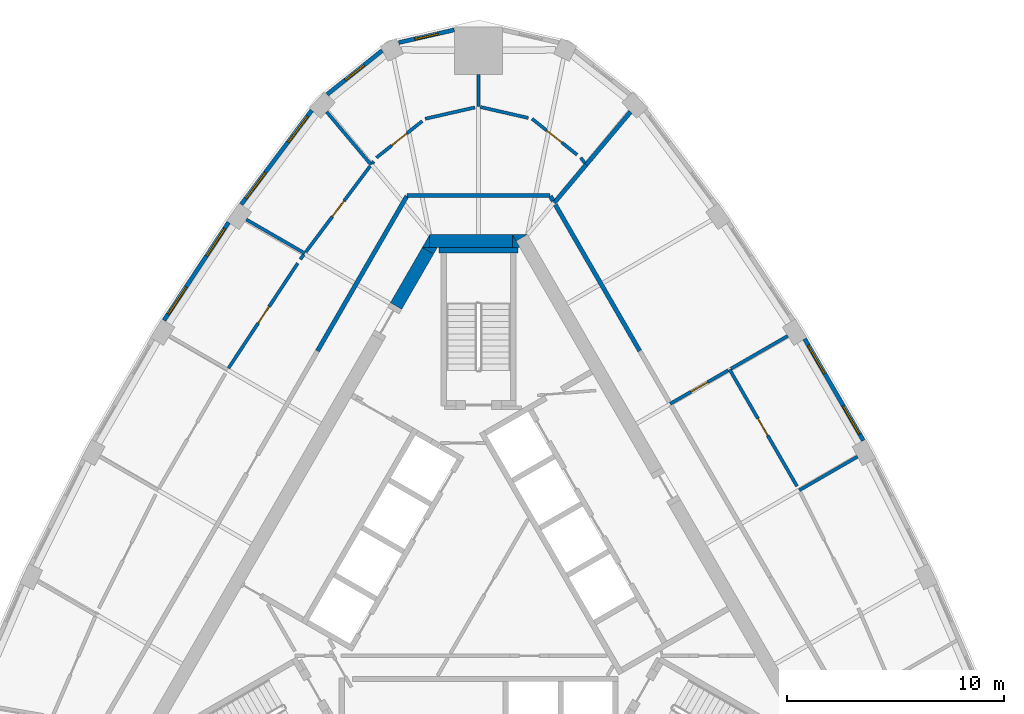
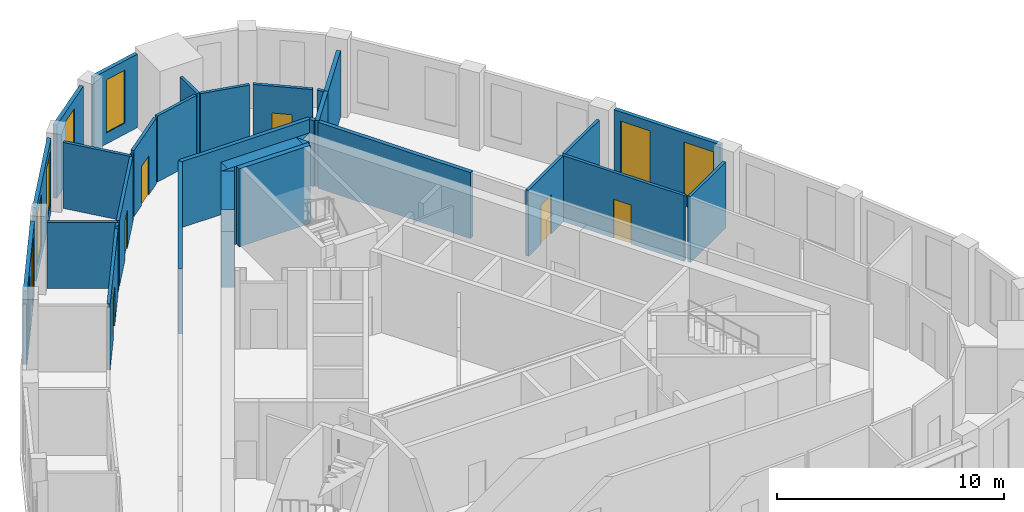
# One storey, part 8 of 10: 34 walls, 8 windows, 6 doors, 14 openings.
"""IFC4 building model written with IfcOpenShell, lengths in metres."""

from ifc_helpers import new_model, si_unit, direction, frame, frame_2d, origin, place, context, subcontext, project, spatial, polyline, rectangle, outline, extrude, material, layer, layer_set, type_object, element, fill, save


model = new_model("IFC4")

# Units and contexts
model_context = context("Model", 3, precision=1e-05, world=origin(), true_north=direction((0.0, 1.0)))
body_context = subcontext(model_context, "Body", "Model", "MODEL_VIEW")
ifc_project = project(units=[si_unit("LENGTHUNIT", "METRE"), si_unit("AREAUNIT", "SQUARE_METRE"), si_unit("VOLUMEUNIT", "CUBIC_METRE"), si_unit("PLANEANGLEUNIT", "RADIAN"), si_unit("MASSUNIT", "GRAM", prefix="KILO")], contexts=[model_context])

# Site, building, storey
site_placement = place(None, origin())
site = spatial("IfcSite", under=ifc_project, at=site_placement, CompositionType="ELEMENT")
building_placement = place(site_placement, origin())
building = spatial("IfcBuilding", under=site, at=building_placement, Name="Mestral Congress Tower", CompositionType="ELEMENT")
storey_placement = place(building_placement, frame((0.0, 0.0, 288.0)))
storey = spatial("IfcBuildingStorey", under=building, at=storey_placement, Name="L67", CompositionType="ELEMENT", Elevation=288.0)

# Walls
ifc_material_1 = material(Name="Concrete C60/75", Category="concrete")
ifc_layer_1 = layer(ifc_material_1, 0.60009765625)
ifc_layer_set_1 = layer_set([ifc_layer_1], Name="Concrete C60/75")
wall_type_1 = type_object("IfcWallType", Name="Core wall RC 600", PredefinedType="SOLIDWALL", material=ifc_layer_set_1)
placement = place(storey_placement, origin())
element("IfcWall", 1, at=placement, inside=storey, type_object=wall_type_1, Name="L67 core wall", PredefinedType="SOLIDWALL", context=body_context, shape_type="SweptSolid", body=[
    extrude(outline(polyline([(1.558837890625, 16.60009765625), (2.23486328125, 16.60009765625), (1.727783203125, 16.307373046875), (1.558837890625, 16.60009765625)])), origin(), (0.0, 0.0, 1.0), 4.199951171875),
])
wall_2_placement = place(storey_placement, frame((-2.258056640625, 16.300048828125, 0.0), z_axis=(0.0, 0.0, 1.0), x_axis=(1.0, 0.0, 0.0)))
element("IfcWall", 2, at=wall_2_placement, inside=storey, type_object=wall_type_1, Name="L67 core wall", PredefinedType="SOLIDWALL", context=body_context, shape_type="SweptSolid", body=[
    extrude(rectangle(XDim=3.8232421875, YDim=0.60009765625, at=frame_2d((1.91162109375, 0.0))), origin(), (0.0, 0.0, 1.0), 4.199951171875),
])
element("IfcWall", 3, at=placement, inside=storey, type_object=wall_type_1, Name="L67 core wall", PredefinedType="SOLIDWALL", context=body_context, shape_type="SweptSolid", body=[
    extrude(outline(polyline([(1.9052734375, 16.0), (1.5673828125, 16.0), (1.5673828125, 16.58544921875), (1.9052734375, 16.0)])), origin(), (0.0, 0.0, 1.0), 4.199951171875),
])
element("IfcWall", 4, at=placement, inside=storey, type_object=wall_type_1, Name="L67 core wall", PredefinedType="SOLIDWALL", context=body_context, shape_type="SweptSolid", body=[
    extrude(outline(polyline([(-2.59814453125, 16.0), (-2.260009765625, 16.58544921875), (-2.260009765625, 16.0), (-2.59814453125, 16.0)])), origin(), (0.0, 0.0, 1.0), 4.199951171875),
])
wall_5_placement = place(storey_placement, frame((-2.335205078125, 15.85546875, 0.0), z_axis=(0.0, 0.0, 1.0), x_axis=(-0.499960127962, -0.866048422692, 0.0)))
element("IfcWall", 5, at=wall_5_placement, inside=storey, type_object=wall_type_1, Name="L67 core wall", PredefinedType="SOLIDWALL", context=body_context, shape_type="SweptSolid", body=[
    extrude(rectangle(XDim=2.934326171875, YDim=0.60009765625, at=frame_2d((1.46728515625, 0.0))), origin(), (0.0, 0.0, 1.0), 4.199951171875),
])
element("IfcWall", 6, at=placement, inside=storey, type_object=wall_type_1, Name="L67 core wall", PredefinedType="SOLIDWALL", context=body_context, shape_type="SweptSolid", body=[
    extrude(outline(polyline([(-1.9052734375, 16.0), (-2.07421875, 15.707275390625), (-2.581298828125, 16.0), (-1.9052734375, 16.0)])), origin(), (0.0, 0.0, 1.0), 4.199951171875),
])

# Wall, openings, windows
ifc_material_2 = material(Name="Precast concrete C40/50 with limestone facing", Category="masonry")
ifc_layer_2 = layer(ifc_material_2, 0.18994140625)
ifc_layer_set_2 = layer_set([ifc_layer_2], Name="Precast concrete C40/50 with limestone facing")
wall_type_2 = type_object("IfcWallType", Name="Facade stone wall 190", PredefinedType="SOLIDWALL", material=ifc_layer_set_2)
wall_7_placement = place(storey_placement, frame((17.728271484375, 7.1142578125, 0.0), z_axis=(0.0, 0.0, 1.0), x_axis=(-0.500024767483, 0.866011103799, 0.0)))
wall_7 = element("IfcWall", 7, at=wall_7_placement, inside=storey, type_object=wall_type_2, Name="Facade wall F1-02", PredefinedType="SOLIDWALL", context=body_context, shape_type="SweptSolid", body=[
    extrude(rectangle(XDim=5.406005859375, YDim=0.18994140625, at=frame_2d((2.703125, 0.0))), origin(), (0.0, 0.0, 1.0), 3.949951171875),
])
opening_1_placement = place(wall_7_placement, frame((0.346435546875, 0.0, 0.60009765625)))
opening_1 = element("IfcOpeningElement", 8, at=opening_1_placement, cuts=wall_7, Name="Opening W6", PredefinedType="OPENING", context=body_context, shape_type="SweptSolid", body=[
    extrude(rectangle(XDim=1.5, YDim=2.85009765625, at=frame_2d((0.75, 1.425048828125))), frame((0.0, 0.10498046875, 0.0), z_axis=(0.0, -1.0, 0.0), x_axis=(1.0, 0.0, 0.0)), (0.0, 0.0, 1.0), 0.2099609375),
])
opening_2_placement = place(wall_7_placement, frame((3.5595703125, 0.0, 0.60009765625)))
opening_2 = element("IfcOpeningElement", 9, at=opening_2_placement, cuts=wall_7, Name="Opening W6", PredefinedType="OPENING", context=body_context, shape_type="SweptSolid", body=[
    extrude(rectangle(XDim=1.5, YDim=2.85009765625, at=frame_2d((0.75, 1.425048828125))), frame((0.0, 0.10498046875, 0.0), z_axis=(0.0, -1.0, 0.0), x_axis=(1.0, 0.0, 0.0)), (0.0, 0.0, 1.0), 0.2099609375),
])
ifc_material_3 = material(Name="Clear low-emissivity double glazing", Category="glass")
window_type_1 = type_object("IfcWindowType", Name="Facade punched window 1500 x 2850 sill 600", PartitioningType="SINGLE_PANEL", PredefinedType="WINDOW", material=ifc_material_3)
window_1_placement = place(opening_1_placement, origin())
window_1 = element("IfcWindow", 10, at=window_1_placement, inside=storey, type_object=window_type_1, Name="Window F1-02a", OverallHeight=2.85009765625, OverallWidth=1.5, PartitioningType="SINGLE_PANEL", PredefinedType="WINDOW", context=body_context, shape_type="SweptSolid", body=[
    extrude(rectangle(XDim=1.5, YDim=2.85009765625, at=frame_2d((0.75, 1.425048828125))), frame((0.0, 0.044921875, 0.0), z_axis=(0.0, -1.0, 0.0), x_axis=(1.0, 0.0, 0.0)), (0.0, 0.0, 1.0), 0.06005859375),
])
fill(opening_1, window_1)
window_2_placement = place(opening_2_placement, origin())
window_2 = element("IfcWindow", 11, at=window_2_placement, inside=storey, type_object=window_type_1, Name="Window F1-02b", OverallHeight=2.85009765625, OverallWidth=1.5, PartitioningType="SINGLE_PANEL", PredefinedType="WINDOW", context=body_context, shape_type="SweptSolid", body=[
    extrude(rectangle(XDim=1.5, YDim=2.85009765625, at=frame_2d((0.75, 1.425048828125))), frame((0.0, 0.044921875, 0.0), z_axis=(0.0, -1.0, 0.0), x_axis=(1.0, 0.0, 0.0)), (0.0, 0.0, 1.0), 0.06005859375),
])
fill(opening_2, window_2)

# Wall, opening, window
wall_8_placement = place(storey_placement, frame((-1.12158203125, 26.033447265625, 0.0), z_axis=(0.0, 0.0, 1.0), x_axis=(-0.974913273386, -0.222585060988, 0.0)))
wall_8 = element("IfcWall", 12, at=wall_8_placement, inside=storey, type_object=wall_type_2, Name="Facade wall K1-2", PredefinedType="SOLIDWALL", context=body_context, shape_type="SweptSolid", body=[
    extrude(rectangle(XDim=2.626953125, YDim=0.18994140625, at=frame_2d((1.3134765625, 0.0))), origin(), (0.0, 0.0, 1.0), 3.949951171875),
])
opening_3_placement = place(wall_8_placement, frame((0.763427734375, 0.0, 0.60009765625)))
opening_3 = element("IfcOpeningElement", 13, at=opening_3_placement, cuts=wall_8, Name="Opening W7", PredefinedType="OPENING", context=body_context, shape_type="SweptSolid", body=[
    extrude(rectangle(XDim=1.10009765625, YDim=2.85009765625, at=frame_2d((0.550048828125, 1.425048828125))), frame((0.0, 0.10498046875, 0.0), z_axis=(0.0, -1.0, 0.0), x_axis=(1.0, 0.0, 0.0)), (0.0, 0.0, 1.0), 0.2099609375),
])
window_type_2 = type_object("IfcWindowType", Name="Facade punched window 1100 x 2850 sill 600", PartitioningType="SINGLE_PANEL", PredefinedType="WINDOW", material=ifc_material_3)
window_3_placement = place(opening_3_placement, origin())
window_3 = element("IfcWindow", 14, at=window_3_placement, inside=storey, type_object=window_type_2, Name="Window K1-2", OverallHeight=2.85009765625, OverallWidth=1.10009765625, PartitioningType="SINGLE_PANEL", PredefinedType="WINDOW", context=body_context, shape_type="SweptSolid", body=[
    extrude(rectangle(XDim=1.10009765625, YDim=2.85009765625, at=frame_2d((0.550048828125, 1.425048828125))), frame((0.0, 0.044921875, 0.0), z_axis=(0.0, -1.0, 0.0), x_axis=(1.0, 0.0, 0.0)), (0.0, 0.0, 1.0), 0.06005859375),
])
fill(opening_3, window_3)

wall_9_placement = place(storey_placement, frame((-4.447509765625, 25.080078125, 0.0), z_axis=(0.0, 0.0, 1.0), x_axis=(-0.781626234064, -0.623747088349, 0.0)))
wall_9 = element("IfcWall", 15, at=wall_9_placement, inside=storey, type_object=wall_type_2, Name="Facade wall K1-3", PredefinedType="SOLIDWALL", context=body_context, shape_type="SweptSolid", body=[
    extrude(rectangle(XDim=3.236572265625, YDim=0.18994140625, at=frame_2d((1.6181640625, 0.0))), origin(), (0.0, 0.0, 1.0), 3.949951171875),
])
opening_4_placement = place(wall_9_placement, frame((1.068359375, 0.0, 0.60009765625)))
opening_4 = element("IfcOpeningElement", 16, at=opening_4_placement, cuts=wall_9, Name="Opening W7", PredefinedType="OPENING", context=body_context, shape_type="SweptSolid", body=[
    extrude(rectangle(XDim=1.10009765625, YDim=2.85009765625, at=frame_2d((0.550048828125, 1.425048828125))), frame((0.0, 0.10498046875, 0.0), z_axis=(0.0, -1.0, 0.0), x_axis=(1.0, 0.0, 0.0)), (0.0, 0.0, 1.0), 0.2099609375),
])
window_4_placement = place(opening_4_placement, origin())
window_4 = element("IfcWindow", 17, at=window_4_placement, inside=storey, type_object=window_type_2, Name="Window K1-3", OverallHeight=2.85009765625, OverallWidth=1.10009765625, PartitioningType="SINGLE_PANEL", PredefinedType="WINDOW", context=body_context, shape_type="SweptSolid", body=[
    extrude(rectangle(XDim=1.10009765625, YDim=2.85009765625, at=frame_2d((0.550048828125, 1.425048828125))), frame((0.0, 0.044921875, 0.0), z_axis=(0.0, -1.0, 0.0), x_axis=(1.0, 0.0, 0.0)), (0.0, 0.0, 1.0), 0.06005859375),
])
fill(opening_4, window_4)

# Wall, openings, windows
wall_10_placement = place(storey_placement, frame((-7.691650390625, 22.32373046875, 0.0), z_axis=(0.0, 0.0, 1.0), x_axis=(-0.599559865294, -0.800329911929, 0.0)))
wall_10 = element("IfcWall", 18, at=wall_10_placement, inside=storey, type_object=wall_type_2, Name="Facade wall F2-00", PredefinedType="SOLIDWALL", context=body_context, shape_type="SweptSolid", body=[
    extrude(rectangle(XDim=5.4150390625, YDim=0.18994140625, at=frame_2d((2.70751953125, 0.0))), origin(), (0.0, 0.0, 1.0), 3.949951171875),
])
opening_5_placement = place(wall_10_placement, frame((0.322509765625, 0.0, 0.60009765625)))
opening_5 = element("IfcOpeningElement", 19, at=opening_5_placement, cuts=wall_10, Name="Opening W6", PredefinedType="OPENING", context=body_context, shape_type="SweptSolid", body=[
    extrude(rectangle(XDim=1.5, YDim=2.85009765625, at=frame_2d((0.75, 1.425048828125))), frame((0.0, 0.10498046875, 0.0), z_axis=(0.0, -1.0, 0.0), x_axis=(1.0, 0.0, 0.0)), (0.0, 0.0, 1.0), 0.2099609375),
])
opening_6_placement = place(wall_10_placement, frame((3.5576171875, 0.0, 0.60009765625)))
opening_6 = element("IfcOpeningElement", 20, at=opening_6_placement, cuts=wall_10, Name="Opening W6", PredefinedType="OPENING", context=body_context, shape_type="SweptSolid", body=[
    extrude(rectangle(XDim=1.5, YDim=2.85009765625, at=frame_2d((0.75, 1.425048828125))), frame((0.0, 0.10498046875, 0.0), z_axis=(0.0, -1.0, 0.0), x_axis=(1.0, 0.0, 0.0)), (0.0, 0.0, 1.0), 0.2099609375),
])
window_5_placement = place(opening_5_placement, origin())
window_5 = element("IfcWindow", 21, at=window_5_placement, inside=storey, type_object=window_type_1, Name="Window F2-00a", OverallHeight=2.85009765625, OverallWidth=1.5, PartitioningType="SINGLE_PANEL", PredefinedType="WINDOW", context=body_context, shape_type="SweptSolid", body=[
    extrude(rectangle(XDim=1.5, YDim=2.85009765625, at=frame_2d((0.75, 1.425048828125))), frame((0.0, 0.044921875, 0.0), z_axis=(0.0, -1.0, 0.0), x_axis=(1.0, 0.0, 0.0)), (0.0, 0.0, 1.0), 0.06005859375),
])
fill(opening_5, window_5)
window_6_placement = place(opening_6_placement, origin())
window_6 = element("IfcWindow", 22, at=window_6_placement, inside=storey, type_object=window_type_1, Name="Window F2-00b", OverallHeight=2.85009765625, OverallWidth=1.5, PartitioningType="SINGLE_PANEL", PredefinedType="WINDOW", context=body_context, shape_type="SweptSolid", body=[
    extrude(rectangle(XDim=1.5, YDim=2.85009765625, at=frame_2d((0.75, 1.425048828125))), frame((0.0, 0.044921875, 0.0), z_axis=(0.0, -1.0, 0.0), x_axis=(1.0, 0.0, 0.0)), (0.0, 0.0, 1.0), 0.06005859375),
])
fill(opening_6, window_6)

wall_11_placement = place(storey_placement, frame((-11.518310546875, 17.16552734375, 0.0), z_axis=(0.0, 0.0, 1.0), x_axis=(-0.550744054781, -0.83467417962, 0.0)))
wall_11 = element("IfcWall", 23, at=wall_11_placement, inside=storey, type_object=wall_type_2, Name="Facade wall F2-01", PredefinedType="SOLIDWALL", context=body_context, shape_type="SweptSolid", body=[
    extrude(rectangle(XDim=5.406005859375, YDim=0.18994140625, at=frame_2d((2.703125, 0.0))), origin(), (0.0, 0.0, 1.0), 3.949951171875),
])
opening_7_placement = place(wall_11_placement, frame((0.346435546875, 0.0, 0.60009765625)))
opening_7 = element("IfcOpeningElement", 24, at=opening_7_placement, cuts=wall_11, Name="Opening W6", PredefinedType="OPENING", context=body_context, shape_type="SweptSolid", body=[
    extrude(rectangle(XDim=1.5, YDim=2.85009765625, at=frame_2d((0.75, 1.425048828125))), frame((0.0, 0.10498046875, 0.0), z_axis=(0.0, -1.0, 0.0), x_axis=(1.0, 0.0, 0.0)), (0.0, 0.0, 1.0), 0.2099609375),
])
opening_8_placement = place(wall_11_placement, frame((3.559326171875, 0.0, 0.60009765625)))
opening_8 = element("IfcOpeningElement", 25, at=opening_8_placement, cuts=wall_11, Name="Opening W6", PredefinedType="OPENING", context=body_context, shape_type="SweptSolid", body=[
    extrude(rectangle(XDim=1.5, YDim=2.85009765625, at=frame_2d((0.75, 1.425048828125))), frame((0.0, 0.10498046875, 0.0), z_axis=(0.0, -1.0, 0.0), x_axis=(1.0, 0.0, 0.0)), (0.0, 0.0, 1.0), 0.2099609375),
])
window_7_placement = place(opening_7_placement, origin())
window_7 = element("IfcWindow", 26, at=window_7_placement, inside=storey, type_object=window_type_1, Name="Window F2-01a", OverallHeight=2.85009765625, OverallWidth=1.5, PartitioningType="SINGLE_PANEL", PredefinedType="WINDOW", context=body_context, shape_type="SweptSolid", body=[
    extrude(rectangle(XDim=1.5, YDim=2.85009765625, at=frame_2d((0.75, 1.425048828125))), frame((0.0, 0.044921875, 0.0), z_axis=(0.0, -1.0, 0.0), x_axis=(1.0, 0.0, 0.0)), (0.0, 0.0, 1.0), 0.06005859375),
])
fill(opening_7, window_7)
window_8_placement = place(opening_8_placement, origin())
window_8 = element("IfcWindow", 27, at=window_8_placement, inside=storey, type_object=window_type_1, Name="Window F2-01b", OverallHeight=2.85009765625, OverallWidth=1.5, PartitioningType="SINGLE_PANEL", PredefinedType="WINDOW", context=body_context, shape_type="SweptSolid", body=[
    extrude(rectangle(XDim=1.5, YDim=2.85009765625, at=frame_2d((0.75, 1.425048828125))), frame((0.0, 0.044921875, 0.0), z_axis=(0.0, -1.0, 0.0), x_axis=(1.0, 0.0, 0.0)), (0.0, 0.0, 1.0), 0.06005859375),
])
fill(opening_8, window_8)

# Wall
ifc_material_4 = material(Name="Plasterboard partition on steel studs", Category="steel")
ifc_layer_3 = layer(ifc_material_4, 0.14990234375)
ifc_layer_set_3 = layer_set([ifc_layer_3], Name="Plasterboard partition on steel studs")
wall_type_3 = type_object("IfcWallType", Name="Office partition 150", PredefinedType="PARTITIONING", material=ifc_layer_set_3)
wall_12_placement = place(storey_placement, frame((14.77734375, 4.821533203125, 0.0), z_axis=(0.0, 0.0, 1.0), x_axis=(0.865992557167, 0.500056887695, 0.0)))
element("IfcWall", 28, at=wall_12_placement, inside=storey, type_object=wall_type_3, Name="Partition", PredefinedType="PARTITIONING", context=body_context, shape_type="SweptSolid", body=[
    extrude(rectangle(XDim=3.096435546875, YDim=0.14990234375, at=frame_2d((1.54833984375, 0.0))), origin(), (0.0, 0.0, 1.0), 3.550048828125),
])

# Wall, opening, door
wall_13_placement = place(storey_placement, frame((11.564208984375, 10.38671875, 0.0), z_axis=(0.0, 0.0, 1.0), x_axis=(0.500002559113, -0.866023926275, 0.0)))
wall_13 = element("IfcWall", 29, at=wall_13_placement, inside=storey, type_object=wall_type_3, Name="Partition", PredefinedType="PARTITIONING", context=body_context, shape_type="SweptSolid", body=[
    extrude(rectangle(XDim=6.2119140625, YDim=0.14990234375, at=frame_2d((3.10595703125, 0.0))), origin(), (0.0, 0.0, 1.0), 3.550048828125),
])
opening_9_placement = place(wall_13_placement, frame((2.611572265625, 0.0, 0.0)))
opening_9 = element("IfcOpeningElement", 30, at=opening_9_placement, cuts=wall_13, Name="Opening O12-007", PredefinedType="OPENING", context=body_context, shape_type="SweptSolid", body=[
    extrude(rectangle(XDim=0.89990234375, YDim=2.10009765625, at=frame_2d((0.449951171875, 1.050048828125))), frame((0.0, 0.0849609375, 0.0), z_axis=(0.0, -1.0, 0.0), x_axis=(1.0, 0.0, 0.0)), (0.0, 0.0, 1.0), 0.169921875),
])
ifc_material_5 = material(Name="Timber door set", Category="wood")
door_type = type_object("IfcDoorType", Name="Office door 900x2100", OperationType="SINGLE_SWING_LEFT", PredefinedType="DOOR", material=ifc_material_5)
door_1_placement = place(opening_9_placement, origin())
door_1 = element("IfcDoor", 31, at=door_1_placement, inside=storey, type_object=door_type, Name="Door O12-007", OperationType="SINGLE_SWING_LEFT", OverallHeight=2.10009765625, OverallWidth=0.89990234375, PredefinedType="DOOR", context=body_context, shape_type="SweptSolid", body=[
    extrude(rectangle(XDim=0.89990234375, YDim=2.10009765625, at=frame_2d((0.449951171875, 1.050048828125))), frame((0.0, 0.02490234375, 0.0), z_axis=(0.0, -1.0, 0.0), x_axis=(1.0, 0.0, 0.0)), (0.0, 0.0, 1.0), 0.050048828125),
])
fill(opening_9, door_1)

# Wall
wall_14_placement = place(storey_placement, frame((11.629150390625, 10.42431640625, 0.0), z_axis=(0.0, 0.0, 1.0), x_axis=(0.866061796884, 0.499936960004, 0.0)))
element("IfcWall", 32, at=wall_14_placement, inside=storey, type_object=wall_type_3, Name="Partition", PredefinedType="PARTITIONING", context=body_context, shape_type="SweptSolid", body=[
    extrude(rectangle(XDim=3.021484375, YDim=0.14990234375, at=frame_2d((1.5107421875, 0.0))), origin(), (0.0, 0.0, 1.0), 3.550048828125),
])

# Wall, opening, door
wall_15_placement = place(storey_placement, frame((8.8291015625, 8.8076171875, 0.0), z_axis=(0.0, 0.0, 1.0), x_axis=(0.866041857893, 0.499971499565, 0.0)))
wall_15 = element("IfcWall", 33, at=wall_15_placement, inside=storey, type_object=wall_type_3, Name="Partition", PredefinedType="PARTITIONING", context=body_context, shape_type="SweptSolid", body=[
    extrude(rectangle(XDim=3.083251953125, YDim=0.14990234375, at=frame_2d((1.54150390625, 0.0))), origin(), (0.0, 0.0, 1.0), 3.550048828125),
])
opening_10_placement = place(wall_15_placement, frame((1.10009765625, 0.0, 0.0)))
opening_10 = element("IfcOpeningElement", 34, at=opening_10_placement, cuts=wall_15, Name="Opening O12-009", PredefinedType="OPENING", context=body_context, shape_type="SweptSolid", body=[
    extrude(rectangle(XDim=0.89990234375, YDim=2.10009765625, at=frame_2d((0.449951171875, 1.050048828125))), frame((0.0, 0.0849609375, 0.0), z_axis=(0.0, -1.0, 0.0), x_axis=(1.0, 0.0, 0.0)), (0.0, 0.0, 1.0), 0.169921875),
])
door_2_placement = place(opening_10_placement, origin())
door_2 = element("IfcDoor", 35, at=door_2_placement, inside=storey, type_object=door_type, Name="Door O12-009", OperationType="SINGLE_SWING_RIGHT", OverallHeight=2.10009765625, OverallWidth=0.89990234375, PredefinedType="DOOR", context=body_context, shape_type="SweptSolid", body=[
    extrude(rectangle(XDim=0.89990234375, YDim=2.10009765625, at=frame_2d((0.449951171875, 1.050048828125))), frame((0.0, 0.02490234375, 0.0), z_axis=(0.0, -1.0, 0.0), x_axis=(1.0, 0.0, 0.0)), (0.0, 0.0, 1.0), 0.050048828125),
])
fill(opening_10, door_2)

# Walls
wall_16_placement = place(storey_placement, frame((0.0, 22.49951171875, 0.0), z_axis=(0.0, 0.0, 1.0), x_axis=(0.0, 1.0, 0.0)))
element("IfcWall", 36, at=wall_16_placement, inside=storey, type_object=wall_type_3, Name="Partition", PredefinedType="PARTITIONING", context=body_context, shape_type="SweptSolid", body=[
    extrude(rectangle(XDim=1.478515625, YDim=0.14990234375, at=frame_2d((0.7392578125, 0.0))), origin(), (0.0, 0.0, 1.0), 3.550048828125),
])
wall_17_placement = place(storey_placement, frame((4.89111328125, 19.8994140625, 0.0), z_axis=(0.0, 0.0, 1.0), x_axis=(-0.6, 0.8, 0.0)))
element("IfcWall", 37, at=wall_17_placement, inside=storey, type_object=wall_type_3, Name="Partition", PredefinedType="PARTITIONING", context=body_context, shape_type="SweptSolid", body=[
    extrude(rectangle(XDim=0.308837890625, YDim=0.14990234375, at=frame_2d((0.154296875, 0.0))), origin(), (0.0, 0.0, 1.0), 3.550048828125),
])

# Wall, opening, door
wall_18_placement = place(storey_placement, frame((2.4619140625, 21.937255859375, 0.0), z_axis=(0.0, 0.0, 1.0), x_axis=(0.781630346222, -0.62374193531, 0.0)))
wall_18 = element("IfcWall", 38, at=wall_18_placement, inside=storey, type_object=wall_type_3, Name="Partition", PredefinedType="PARTITIONING", context=body_context, shape_type="SweptSolid", body=[
    extrude(rectangle(XDim=2.656494140625, YDim=0.14990234375, at=frame_2d((1.328125, 0.0))), origin(), (0.0, 0.0, 1.0), 3.550048828125),
])
opening_11_placement = place(wall_18_placement, frame((0.856689453125, 0.0, 0.0)))
opening_11 = element("IfcOpeningElement", 39, at=opening_11_placement, cuts=wall_18, Name="Opening O12-010", PredefinedType="OPENING", context=body_context, shape_type="SweptSolid", body=[
    extrude(rectangle(XDim=0.89990234375, YDim=2.10009765625, at=frame_2d((0.449951171875, 1.050048828125))), frame((0.0, 0.0849609375, 0.0), z_axis=(0.0, -1.0, 0.0), x_axis=(1.0, 0.0, 0.0)), (0.0, 0.0, 1.0), 0.169921875),
])
door_3_placement = place(opening_11_placement, origin())
door_3 = element("IfcDoor", 40, at=door_3_placement, inside=storey, type_object=door_type, Name="Door O12-010", OperationType="SINGLE_SWING_LEFT", OverallHeight=2.10009765625, OverallWidth=0.89990234375, PredefinedType="DOOR", context=body_context, shape_type="SweptSolid", body=[
    extrude(rectangle(XDim=0.89990234375, YDim=2.10009765625, at=frame_2d((0.449951171875, 1.050048828125))), frame((0.0, 0.02490234375, 0.0), z_axis=(0.0, -1.0, 0.0), x_axis=(1.0, 0.0, 0.0)), (0.0, 0.0, 1.0), 0.050048828125),
])
fill(opening_11, door_3)

# Walls
wall_19_placement = place(storey_placement, frame((2.29345703125, 21.975830078125, 0.0), z_axis=(0.0, 0.0, 1.0), x_axis=(-0.974905760283, 0.22261796551, 0.0)))
element("IfcWall", 41, at=wall_19_placement, inside=storey, type_object=wall_type_3, Name="Partition", PredefinedType="PARTITIONING", context=body_context, shape_type="SweptSolid", body=[
    extrude(rectangle(XDim=2.275634765625, YDim=0.14990234375, at=frame_2d((1.1376953125, 0.0))), origin(), (0.0, 0.0, 1.0), 3.550048828125),
])
wall_20_placement = place(storey_placement, frame((-4.952392578125, 19.8173828125, 0.0), z_axis=(0.0, 0.0, 1.0), x_axis=(-0.643023053688, 0.765846820471, 0.0)))
element("IfcWall", 42, at=wall_20_placement, inside=storey, type_object=wall_type_3, Name="Partition", PredefinedType="PARTITIONING", context=body_context, shape_type="SweptSolid", body=[
    extrude(rectangle(XDim=3.184326171875, YDim=0.14990234375, at=frame_2d((1.59228515625, 0.0))), origin(), (0.0, 0.0, 1.0), 3.550048828125),
])
wall_21_placement = place(storey_placement, frame((-0.16845703125, 22.461181640625, 0.0), z_axis=(0.0, 0.0, 1.0), x_axis=(-0.974885550769, -0.222706450069, 0.0)))
element("IfcWall", 43, at=wall_21_placement, inside=storey, type_object=wall_type_3, Name="Partition", PredefinedType="PARTITIONING", context=body_context, shape_type="SweptSolid", body=[
    extrude(rectangle(XDim=2.3525390625, YDim=0.14990234375, at=frame_2d((1.17626953125, 0.0))), origin(), (0.0, 0.0, 1.0), 3.550048828125),
])

# Wall, opening, door
wall_22_placement = place(storey_placement, frame((-4.705810546875, 20.146484375, 0.0), z_axis=(0.0, 0.0, 1.0), x_axis=(0.781592149204, 0.623789798172, 0.0)))
wall_22 = element("IfcWall", 44, at=wall_22_placement, inside=storey, type_object=wall_type_3, Name="Partition", PredefinedType="PARTITIONING", context=body_context, shape_type="SweptSolid", body=[
    extrude(rectangle(XDim=2.6982421875, YDim=0.14990234375, at=frame_2d((1.34912109375, 0.0))), origin(), (0.0, 0.0, 1.0), 3.550048828125),
])
opening_12_placement = place(wall_22_placement, frame((0.898193359375, 0.0, 0.0)))
opening_12 = element("IfcOpeningElement", 45, at=opening_12_placement, cuts=wall_22, Name="Opening O12-011", PredefinedType="OPENING", context=body_context, shape_type="SweptSolid", body=[
    extrude(rectangle(XDim=0.89990234375, YDim=2.10009765625, at=frame_2d((0.449951171875, 1.050048828125))), frame((0.0, 0.0849609375, 0.0), z_axis=(0.0, -1.0, 0.0), x_axis=(1.0, 0.0, 0.0)), (0.0, 0.0, 1.0), 0.169921875),
])
door_4_placement = place(opening_12_placement, origin())
door_4 = element("IfcDoor", 46, at=door_4_placement, inside=storey, type_object=door_type, Name="Door O12-011", OperationType="SINGLE_SWING_LEFT", OverallHeight=2.10009765625, OverallWidth=0.89990234375, PredefinedType="DOOR", context=body_context, shape_type="SweptSolid", body=[
    extrude(rectangle(XDim=0.89990234375, YDim=2.10009765625, at=frame_2d((0.449951171875, 1.050048828125))), frame((0.0, 0.02490234375, 0.0), z_axis=(0.0, -1.0, 0.0), x_axis=(1.0, 0.0, 0.0)), (0.0, 0.0, 1.0), 0.050048828125),
])
fill(opening_12, door_4)

# Walls
wall_23_placement = place(storey_placement, frame((-4.83447265625, 19.97509765625, 0.0), z_axis=(0.0, 0.0, 1.0), x_axis=(-0.599349659863, -0.800487342325, 0.0)))
element("IfcWall", 47, at=wall_23_placement, inside=storey, type_object=wall_type_3, Name="Partition", PredefinedType="PARTITIONING", context=body_context, shape_type="SweptSolid", body=[
    extrude(rectangle(XDim=0.1201171875, YDim=0.14990234375, at=frame_2d((0.06005859375, 0.0))), origin(), (0.0, 0.0, 1.0), 3.550048828125),
])
wall_24_placement = place(storey_placement, frame((-8.007080078125, 15.73974609375, 0.0), z_axis=(0.0, 0.0, 1.0), x_axis=(-0.866044607523, 0.499966736674, 0.0)))
element("IfcWall", 48, at=wall_24_placement, inside=storey, type_object=wall_type_3, Name="Partition", PredefinedType="PARTITIONING", context=body_context, shape_type="SweptSolid", body=[
    extrude(rectangle(XDim=3.114501953125, YDim=0.14990234375, at=frame_2d((1.55712890625, 0.0))), origin(), (0.0, 0.0, 1.0), 3.550048828125),
])

# Wall, opening, door
wall_25_placement = place(storey_placement, frame((-7.9619140625, 15.800048828125, 0.0), z_axis=(0.0, 0.0, 1.0), x_axis=(0.599541489613, 0.800343677574, 0.0)))
wall_25 = element("IfcWall", 49, at=wall_25_placement, inside=storey, type_object=wall_type_3, Name="Partition", PredefinedType="PARTITIONING", context=body_context, shape_type="SweptSolid", body=[
    extrude(rectangle(XDim=4.9423828125, YDim=0.14990234375, at=frame_2d((2.47119140625, 0.0))), origin(), (0.0, 0.0, 1.0), 3.550048828125),
])
opening_13_placement = place(wall_25_placement, frame((2.042236328125, 0.0, 0.0)))
opening_13 = element("IfcOpeningElement", 50, at=opening_13_placement, cuts=wall_25, Name="Opening O12-012", PredefinedType="OPENING", context=body_context, shape_type="SweptSolid", body=[
    extrude(rectangle(XDim=0.89990234375, YDim=2.10009765625, at=frame_2d((0.449951171875, 1.050048828125))), frame((0.0, 0.0849609375, 0.0), z_axis=(0.0, -1.0, 0.0), x_axis=(1.0, 0.0, 0.0)), (0.0, 0.0, 1.0), 0.169921875),
])
door_5_placement = place(opening_13_placement, origin())
door_5 = element("IfcDoor", 51, at=door_5_placement, inside=storey, type_object=door_type, Name="Door O12-012", OperationType="SINGLE_SWING_RIGHT", OverallHeight=2.10009765625, OverallWidth=0.89990234375, PredefinedType="DOOR", context=body_context, shape_type="SweptSolid", body=[
    extrude(rectangle(XDim=0.89990234375, YDim=2.10009765625, at=frame_2d((0.449951171875, 1.050048828125))), frame((0.0, 0.02490234375, 0.0), z_axis=(0.0, -1.0, 0.0), x_axis=(1.0, 0.0, 0.0)), (0.0, 0.0, 1.0), 0.050048828125),
])
fill(opening_13, door_5)

# Wall
wall_26_placement = place(storey_placement, frame((-8.052490234375, 15.67919921875, 0.0), z_axis=(0.0, 0.0, 1.0), x_axis=(-0.599004157744, -0.800745914136, 0.0)))
element("IfcWall", 52, at=wall_26_placement, inside=storey, type_object=wall_type_3, Name="Partition", PredefinedType="PARTITIONING", context=body_context, shape_type="SweptSolid", body=[
    extrude(rectangle(XDim=0.274658203125, YDim=0.14990234375, at=frame_2d((0.13720703125, 0.0))), origin(), (0.0, 0.0, 1.0), 3.550048828125),
])

# Wall, opening, door
wall_27_placement = place(storey_placement, frame((-11.52294921875, 10.449462890625, 0.0), z_axis=(0.0, 0.0, 1.0), x_axis=(0.550751709023, 0.834669129061, 0.0)))
wall_27 = element("IfcWall", 53, at=wall_27_placement, inside=storey, type_object=wall_type_3, Name="Partition", PredefinedType="PARTITIONING", context=body_context, shape_type="SweptSolid", body=[
    extrude(rectangle(XDim=5.7880859375, YDim=0.14990234375, at=frame_2d((2.89404296875, 0.0))), origin(), (0.0, 0.0, 1.0), 3.550048828125),
])
opening_14_placement = place(wall_27_placement, frame((2.488037109375, 0.0, 0.0)))
opening_14 = element("IfcOpeningElement", 54, at=opening_14_placement, cuts=wall_27, Name="Opening O12-013", PredefinedType="OPENING", context=body_context, shape_type="SweptSolid", body=[
    extrude(rectangle(XDim=0.89990234375, YDim=2.10009765625, at=frame_2d((0.449951171875, 1.050048828125))), frame((0.0, 0.0849609375, 0.0), z_axis=(0.0, -1.0, 0.0), x_axis=(1.0, 0.0, 0.0)), (0.0, 0.0, 1.0), 0.169921875),
])
door_6_placement = place(opening_14_placement, origin())
door_6 = element("IfcDoor", 55, at=door_6_placement, inside=storey, type_object=door_type, Name="Door O12-013", OperationType="SINGLE_SWING_RIGHT", OverallHeight=2.10009765625, OverallWidth=0.89990234375, PredefinedType="DOOR", context=body_context, shape_type="SweptSolid", body=[
    extrude(rectangle(XDim=0.89990234375, YDim=2.10009765625, at=frame_2d((0.449951171875, 1.050048828125))), frame((0.0, 0.02490234375, 0.0), z_axis=(0.0, -1.0, 0.0), x_axis=(1.0, 0.0, 0.0)), (0.0, 0.0, 1.0), 0.050048828125),
])
fill(opening_14, door_6)

# Walls
ifc_material_6 = material(Name="Dense masonry wall, plastered", Category="masonry")
ifc_layer_4 = layer(ifc_material_6, 0.199951171875)
ifc_layer_set_4 = layer_set([ifc_layer_4], Name="Dense masonry wall, plastered")
wall_type_4 = type_object("IfcWallType", Name="Office tenancy wall 200", PredefinedType="PARTITIONING", material=ifc_layer_set_4)
wall_28_placement = place(storey_placement, frame((4.949951171875, 19.814208984375, 0.0), z_axis=(0.0, 0.0, 1.0), x_axis=(0.642981953866, 0.765881326971, 0.0)))
element("IfcWall", 56, at=wall_28_placement, inside=storey, type_object=wall_type_4, Name="Tenancy wall", PredefinedType="PARTITIONING", context=body_context, shape_type="SweptSolid", body=[
    extrude(rectangle(XDim=3.188232421875, YDim=0.199951171875, at=frame_2d((1.59423828125, 0.0))), origin(), (0.0, 0.0, 1.0), 3.550048828125),
])
wall_29_placement = place(storey_placement, frame((3.483154296875, 18.06689453125, 0.0), z_axis=(0.0, 0.0, 1.0), x_axis=(0.642896944312, 0.765952687177, 0.0)))
element("IfcWall", 57, at=wall_29_placement, inside=storey, type_object=wall_type_4, Name="Tenancy wall", PredefinedType="PARTITIONING", context=body_context, shape_type="SweptSolid", body=[
    extrude(rectangle(XDim=2.28955078125, YDim=0.199951171875, at=frame_2d((1.144775390625, 0.0))), origin(), (0.0, 0.0, 1.0), 3.550048828125),
])
wall_30_placement = place(storey_placement, frame((7.420654296875, 11.2470703125, 0.0), z_axis=(0.0, 0.0, 1.0), x_axis=(-0.499999024953, 0.866025966727, 0.0)))
element("IfcWall", 58, at=wall_30_placement, inside=storey, type_object=wall_type_4, Name="Tenancy wall", PredefinedType="PARTITIONING", context=body_context, shape_type="SweptSolid", body=[
    extrude(rectangle(XDim=7.7685546875, YDim=0.199951171875, at=frame_2d((3.88427734375, 0.0))), origin(), (0.0, 0.0, 1.0), 3.550048828125),
])
wall_31_placement = place(storey_placement, frame((3.291015625, 18.39990234375, 0.0), z_axis=(0.0, 0.0, 1.0), x_axis=(-1.0, 0.0, 0.0)))
element("IfcWall", 59, at=wall_31_placement, inside=storey, type_object=wall_type_4, Name="Tenancy wall", PredefinedType="PARTITIONING", context=body_context, shape_type="SweptSolid", body=[
    extrude(rectangle(XDim=6.58203125, YDim=0.199951171875, at=frame_2d((3.291015625, 0.0))), origin(), (0.0, 0.0, 1.0), 3.550048828125),
])
wall_32_placement = place(storey_placement, frame((-3.305908203125, 18.3740234375, 0.0), z_axis=(0.0, 0.0, 1.0), x_axis=(-0.499999798456, -0.866025520146, 0.0)))
element("IfcWall", 60, at=wall_32_placement, inside=storey, type_object=wall_type_4, Name="Tenancy wall", PredefinedType="PARTITIONING", context=body_context, shape_type="SweptSolid", body=[
    extrude(rectangle(XDim=8.2294921875, YDim=0.199951171875, at=frame_2d((4.11474609375, 0.0))), origin(), (0.0, 0.0, 1.0), 3.550048828125),
])
wall_33_placement = place(storey_placement, frame((3.429931640625, 18.1591796875, 0.0), z_axis=(0.0, 0.0, 1.0), x_axis=(-0.499949632511, 0.866054481515, 0.0)))
element("IfcWall", 61, at=wall_33_placement, inside=storey, type_object=wall_type_4, Name="Tenancy wall", PredefinedType="PARTITIONING", context=body_context, shape_type="SweptSolid", body=[
    extrude(rectangle(XDim=0.248046875, YDim=0.199951171875, at=frame_2d((0.1240234375, 0.0))), origin(), (0.0, 0.0, 1.0), 3.550048828125),
])
ifc_layer_5 = layer(ifc_material_1, 0.25)
ifc_layer_set_5 = layer_set([ifc_layer_5], Name="Concrete C60/75")
wall_type_5 = type_object("IfcWallType", Name="Stair wall RC 250", PredefinedType="SOLIDWALL", material=ifc_layer_set_5)
wall_34_placement = place(storey_placement, frame((-1.81689453125, 15.875, 0.0), z_axis=(0.0, 0.0, 1.0), x_axis=(1.0, 0.0, 0.0)))
element("IfcWall", 62, at=wall_34_placement, inside=storey, type_object=wall_type_5, Name="L67 core wall", PredefinedType="SOLIDWALL", context=body_context, shape_type="SweptSolid", body=[
    extrude(rectangle(XDim=3.6337890625, YDim=0.25, at=frame_2d((1.81689453125, 0.0))), origin(), (0.0, 0.0, 1.0), 4.199951171875),
])

save(model, "model.ifc")
